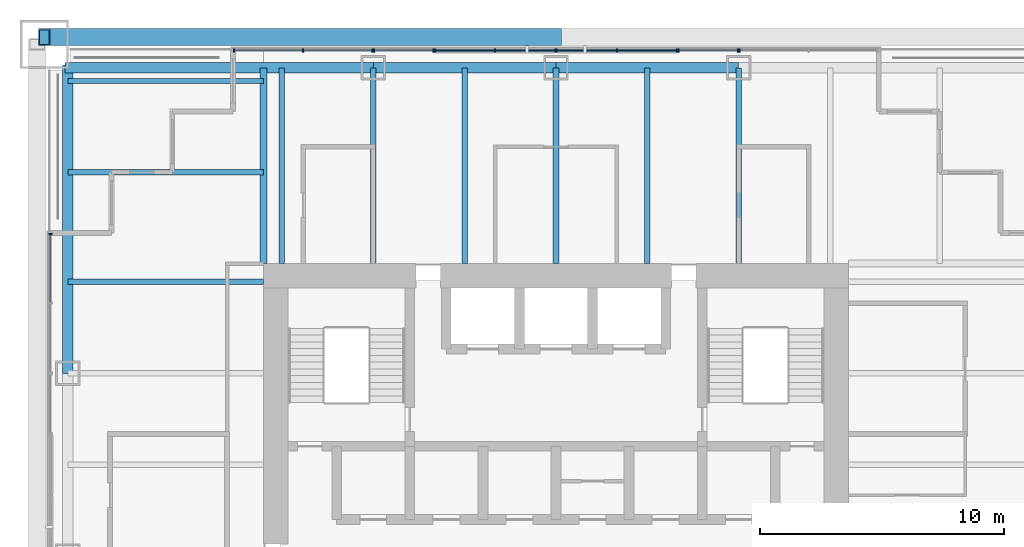
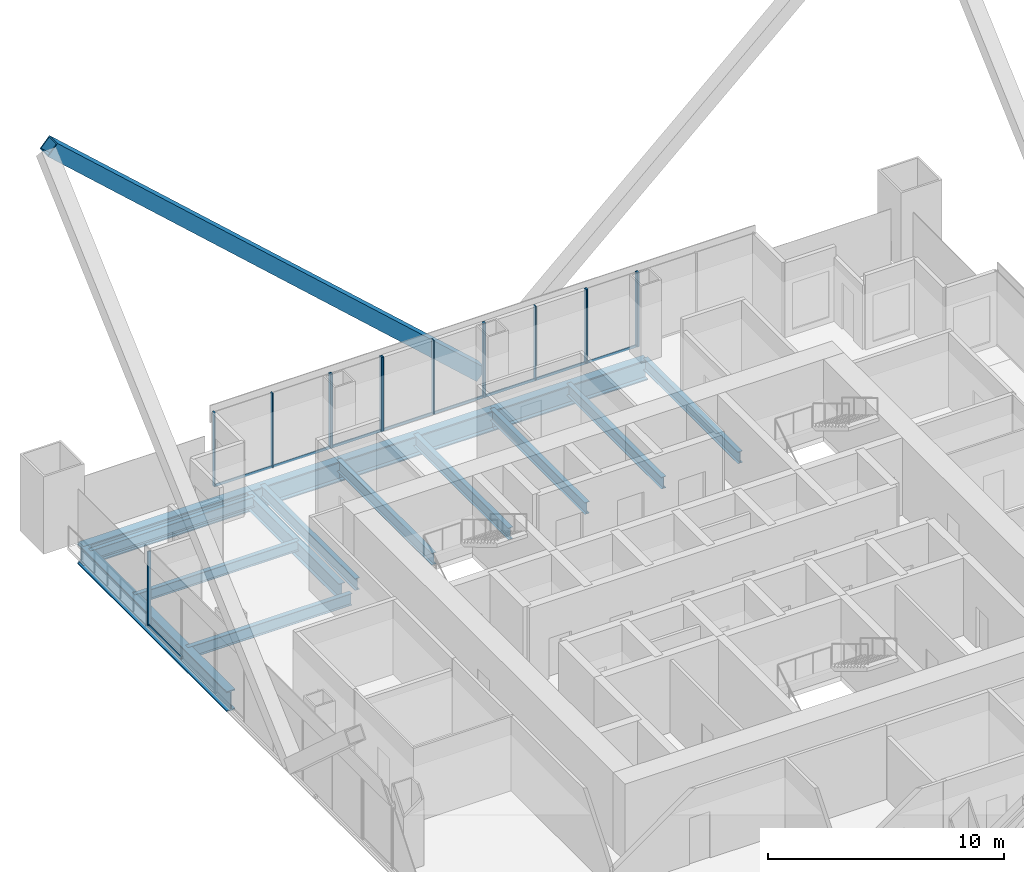
# One storey, part 9 of 17: 25 members, 14 beams, 7 elements without a shape of their own.
"""IFC4 building model written with IfcOpenShell, lengths in metres."""

import ifcopenshell
import ifcopenshell.guid

model = None  # the IFC model being written
_history = None  # IfcOwnerHistory: only IFC2X3 demands one
_inside = {}  # id of a spatial element -> (the spatial element, [elements in it])
_under = {}  # id of a project, library or spatial element -> (it, [spatial elements below it])
_declared = {}  # id of a project -> (the project, [libraries it declares])
_typed = {}  # id of a type object -> (the type object, [elements of that type])
_made_of = {}  # id of a material, layer set ... -> (it, [elements and type objects made of it])


def new_model(schema):
    """Start an empty IFC model of exactly this schema.

    Asked for "IFC4X3", IfcOpenShell would pick the latest addendum, in which some entities
    have other attributes; the version numbers below select the first issue.
    IFC2X3 requires an IfcOwnerHistory on every rooted entity: one is made here for all.
    """
    global model, _history
    if schema == "IFC4X3":
        model = ifcopenshell.file(schema_version=(4, 3, 0, 0))
    else:
        model = ifcopenshell.file(schema=schema)
    _inside.clear()
    _under.clear()
    _declared.clear()
    _typed.clear()
    _made_of.clear()
    _history = None
    if model.schema == "IFC2X3":
        org = make("IfcOrganization", Name="unknown")
        user = make(
            "IfcPersonAndOrganization",
            ThePerson=make("IfcPerson", FamilyName="unknown"),
            TheOrganization=org,
        )
        app = make(
            "IfcApplication",
            ApplicationDeveloper=org,
            Version="unknown",
            ApplicationFullName="unknown",
            ApplicationIdentifier="unknown",
        )
        _history = make(
            "IfcOwnerHistory",
            OwningUser=user,
            OwningApplication=app,
            ChangeAction="ADDED",
            CreationDate=0,
        )
    return model


def make(cls, **values):
    """One entity of the class cls with the attributes given. An attribute that is None is left unset."""
    return model.create_entity(
        cls, **{name: value for name, value in values.items() if value is not None}
    )


def rooted(cls, **values):
    """An entity with a GlobalId (a new one), such as an element, a storey or a relation."""
    return make(cls, GlobalId=ifcopenshell.guid.new(), OwnerHistory=_history, **values)


def si_unit(unit_type, name, prefix=None):
    """IfcSIUnit, for example si_unit("LENGTHUNIT", "METRE", prefix="MILLI")."""
    return make("IfcSIUnit", UnitType=unit_type, Prefix=prefix, Name=name)


def assignment(units):
    """IfcUnitAssignment: the units of a project."""
    return None if units is None else make("IfcUnitAssignment", Units=units)


def point(xyz):
    """IfcCartesianPoint."""
    return None if xyz is None else make("IfcCartesianPoint", Coordinates=xyz)


def direction(xyz):
    """IfcDirection."""
    return None if xyz is None else make("IfcDirection", DirectionRatios=xyz)


def frame(location, z_axis=None, x_axis=None):
    """IfcAxis2Placement3D, a coordinate frame: its origin and axes. An axis left out is left unset."""
    return make(
        "IfcAxis2Placement3D",
        Location=point(location),
        Axis=direction(z_axis),
        RefDirection=direction(x_axis),
    )


def frame_2d(location, x_axis=None):
    """IfcAxis2Placement2D, a coordinate frame in the plane: its origin and x axis."""
    return make(
        "IfcAxis2Placement2D", Location=point(location), RefDirection=direction(x_axis)
    )


def origin():
    """The frame at (0, 0, 0) with its axes left unset."""
    return frame((0.0, 0.0, 0.0))


def origin_2d():
    """The frame at (0, 0) in the plane with its x axis left unset."""
    return frame_2d((0.0, 0.0))


def place(relative_to, where):
    """IfcLocalPlacement: puts the frame where relative to a parent placement (None: the world)."""
    return make(
        "IfcLocalPlacement", PlacementRelTo=relative_to, RelativePlacement=where
    )


def context(
    kind, dimensions, precision=None, world=None, true_north=None, identifier=None
):
    """IfcGeometricRepresentationContext, for example the 3D "Model" context."""
    return make(
        "IfcGeometricRepresentationContext",
        ContextIdentifier=identifier,
        ContextType=kind,
        CoordinateSpaceDimension=dimensions,
        Precision=precision,
        WorldCoordinateSystem=world,
        TrueNorth=true_north,
    )


def subcontext(parent, identifier, kind, view, scale=None):
    """IfcGeometricRepresentationSubContext, for example "Body" below "Model"."""
    return make(
        "IfcGeometricRepresentationSubContext",
        ContextIdentifier=identifier,
        ContextType=kind,
        ParentContext=parent,
        TargetScale=scale,
        TargetView=view,
    )


def project(units=None, contexts=None):
    """IfcProject with its units and contexts."""
    return rooted(
        "IfcProject",
        Name="project",
        RepresentationContexts=contexts,
        UnitsInContext=assignment(units),
    )


def spatial(cls, under=None, at=None, **own):
    """A site, building, storey or space (cls), placed at a placement, below another one or the project."""
    s = rooted(cls, ObjectPlacement=at, **own)
    if under is not None:
        _under.setdefault(under.id(), (under, []))[1].append(s)
    return s


def profile(cls, at=None, kind="AREA", **sizes):
    """A parametric profile (cls). Its sizes go by their IFC names, for example OverallWidth=200.0."""
    return make(cls, ProfileType=kind, Position=at, **sizes)


def rectangle(**sizes):
    """IfcRectangleProfileDef."""
    return profile("IfcRectangleProfileDef", **sizes)


def hollow_rectangle(**sizes):
    """IfcRectangleHollowProfileDef."""
    return profile("IfcRectangleHollowProfileDef", **sizes)


def i_section(**sizes):
    """IfcIShapeProfileDef."""
    return profile("IfcIShapeProfileDef", **sizes)


def extrude(swept, where, along, depth):
    """IfcExtrudedAreaSolid: the profile swept, set in the frame where, extruded along a direction by depth."""
    return make(
        "IfcExtrudedAreaSolid",
        SweptArea=swept,
        Position=where,
        ExtrudedDirection=direction(along),
        Depth=depth,
    )


def shape(context_of_items, identifier, shape_type, items):
    """IfcShapeRepresentation: the items that make up one representation, for example the "Body"."""
    return make(
        "IfcShapeRepresentation",
        ContextOfItems=context_of_items,
        RepresentationIdentifier=identifier,
        RepresentationType=shape_type,
        Items=items,
    )


def material(Name=None, Category=None):
    """IfcMaterial."""
    return make("IfcMaterial", Name=Name, Category=Category)


def material_profile(
    of_material, cross_section, Name=None, Category=None, Priority=None
):
    """IfcMaterialProfile: a cross section and its material."""
    return make(
        "IfcMaterialProfile",
        Name=Name,
        Material=of_material,
        Profile=cross_section,
        Priority=Priority,
        Category=Category,
    )


def profile_set(profiles, Name=None, composite=None):
    """IfcMaterialProfileSet."""
    return make(
        "IfcMaterialProfileSet",
        Name=Name,
        MaterialProfiles=profiles,
        CompositeProfile=composite,
    )


def made_of(thing, what):
    """Note that an element or type object is made of a material, layer set ...; save() writes the relation."""
    if what is not None:
        _made_of.setdefault(what.id(), (what, []))[1].append(thing)
    return thing


def type_object(cls, material=None, **own):
    """A type object (cls), such as IfcWallType, which elements share."""
    return made_of(rooted(cls, **own), material)


def element(
    cls,
    number,
    at=None,
    inside=None,
    cuts=None,
    type_object=None,
    material=None,
    context=None,
    identifier="Body",
    shape_type=None,
    held_by="IfcProductDefinitionShape",
    body=None,
    shapes=None,
    **own,
):
    """One element of the class cls, such as IfcWall. Its Tag is "e" and its number.

    at: its placement. inside: the storey or other place that contains it. cuts: it is an
    opening in that element (IfcRelVoidsElement). A single representation is given by context,
    identifier, shape_type and body (its items); several are given by shapes. held_by: the class
    of the entity that holds the representations. save() writes the other relations.
    """
    e = rooted(cls, Tag="e%d" % number, ObjectPlacement=at, **own)
    if body is not None:
        shapes = [shape(context, identifier, shape_type, body)]
    if shapes is not None:
        e.Representation = make(held_by, Representations=shapes)
    if inside is not None:
        _inside.setdefault(inside.id(), (inside, []))[1].append(e)
    if cuts is not None:
        rooted(
            "IfcRelVoidsElement", RelatingBuildingElement=cuts, RelatedOpeningElement=e
        )
    if type_object is not None:
        _typed.setdefault(type_object.id(), (type_object, []))[1].append(e)
    return made_of(e, material)


def aggregate(whole, parts):
    """IfcRelAggregates: a whole, such as a stair, and the parts it consists of."""
    return rooted("IfcRelAggregates", RelatingObject=whole, RelatedObjects=parts)


def save(model, path):
    """Write the relations noted so far, then the file.

    IfcRelAggregates (storeys below a building ...), IfcRelContainedInSpatialStructure (elements
    in a storey), IfcRelDefinesByType, IfcRelAssociatesMaterial and IfcRelDeclares: one each for
    every whole, place, type object, material and project.
    """
    for whole, parts in _under.values():
        aggregate(whole, parts)
    for where, things in _inside.values():
        rooted(
            "IfcRelContainedInSpatialStructure",
            RelatedElements=things,
            RelatingStructure=where,
        )
    for kind, things in _typed.values():
        rooted("IfcRelDefinesByType", RelatedObjects=things, RelatingType=kind)
    for what, things in _made_of.values():
        rooted("IfcRelAssociatesMaterial", RelatedObjects=things, RelatingMaterial=what)
    for by, libraries in _declared.values():
        rooted("IfcRelDeclares", RelatingContext=by, RelatedDefinitions=libraries)
    model.write(path)


model = new_model("IFC4")

# Units and contexts
model_context = context("Model", 3, precision=1e-05, world=origin(), true_north=direction((0.0, 1.0)))
body_context = subcontext(model_context, "Body", "Model", "MODEL_VIEW")
ifc_project = project(units=[si_unit("LENGTHUNIT", "METRE"), si_unit("AREAUNIT", "SQUARE_METRE"), si_unit("VOLUMEUNIT", "CUBIC_METRE"), si_unit("PLANEANGLEUNIT", "RADIAN"), si_unit("MASSUNIT", "GRAM", prefix="KILO")], contexts=[model_context])

# Site, building, storey
site_placement = place(None, origin())
site = spatial("IfcSite", under=ifc_project, at=site_placement, CompositionType="ELEMENT")
building_placement = place(site_placement, origin())
building = spatial("IfcBuilding", under=site, at=building_placement, Name="Tarangal Relay Tower", CompositionType="ELEMENT")
storey_placement = place(building_placement, frame((0.0, 0.0, 315.89990234375)))
storey = spatial("IfcBuildingStorey", under=building, at=storey_placement, Name="L70", CompositionType="ELEMENT", Elevation=315.89990234375)

# Beams
ifc_material_1 = material(Name="Steel ASTM A992", Category="steel")
ifc_material_profile_1 = material_profile(ifc_material_1, i_section(OverallWidth=0.209228515625, OverallDepth=0.533447265625, WebThickness=0.01025390625, FlangeThickness=0.015625, at=origin_2d()), Name="W21X62")
ifc_profile_set_1 = profile_set([ifc_material_profile_1], Name="Steel ASTM A992")
beam_type_1 = type_object("IfcBeamType", Name="Corner beam W21X62", PredefinedType="JOIST", material=ifc_profile_set_1)
for number, where, z_axis, x_axis, name in (
    (1, (-12.0, 15.75, -0.41650390625), (-1.0, 0.0, 0.0), (0.0, -1.0, 0.0), "Corner beam CB12 W L70"),
    (2, (-12.0, 19.5, -0.41650390625), (-1.0, 0.0, 0.0), (0.0, -1.0, 0.0), "Corner beam CB12 W L70"),
):
    element("IfcBeam", number, at=place(storey_placement, frame(where, z_axis=z_axis, x_axis=x_axis)), inside=storey, type_object=beam_type_1, Name=name, PredefinedType="JOIST", context=body_context, shape_type="SweptSolid", body=[
        extrude(i_section(OverallWidth=0.209228515625, OverallDepth=0.533447265625, WebThickness=0.01025390625, FlangeThickness=0.015625, at=origin_2d()), origin(), (0.0, 0.0, 1.0), 8.0400390625),
    ])
ifc_material_profile_2 = material_profile(ifc_material_1, i_section(OverallWidth=0.2919921875, OverallDepth=0.8408203125, WebThickness=0.0146484375, FlangeThickness=0.021728515625, at=origin_2d()), Name="W33X130")
ifc_profile_set_2 = profile_set([ifc_material_profile_2], Name="Steel ASTM A992")
beam_type_2 = type_object("IfcBeamType", Name="Corner girder W33X130", PredefinedType="BEAM", material=ifc_profile_set_2)
beam_1_placement = place(storey_placement, frame((-12.0, 12.0, -0.5703125), z_axis=(0.0, 1.0, 0.0), x_axis=(-1.0, 0.0, 0.0)))
element("IfcBeam", 3, at=beam_1_placement, inside=storey, type_object=beam_type_2, Name="Corner girder CG5 W L70", PredefinedType="BEAM", context=body_context, shape_type="SweptSolid", body=[
    extrude(i_section(OverallWidth=0.2919921875, OverallDepth=0.8408203125, WebThickness=0.0146484375, FlangeThickness=0.021728515625, at=origin_2d()), origin(), (0.0, 0.0, 1.0), 8.0400390625),
])
ifc_material_profile_3 = material_profile(ifc_material_1, i_section(OverallWidth=0.41162109375, OverallDepth=1.049072265625, WebThickness=0.033935546875, FlangeThickness=0.059814453125, at=origin_2d()), Name="W40X431")
ifc_profile_set_3 = profile_set([ifc_material_profile_3], Name="Steel ASTM A992")
beam_type_3 = type_object("IfcBeamType", Name="Edge girder W40X431", PredefinedType="SPANDREL", material=ifc_profile_set_3)
beam_2_placement = place(storey_placement, frame((-20.14990234375, 20.0400390625, -0.67431640625), z_axis=(1.0, 0.0, 0.0), x_axis=(0.0, 1.0, 0.0)))
element("IfcBeam", 4, at=beam_2_placement, inside=storey, type_object=beam_type_3, Name="Edge girder EG1 N L70", PredefinedType="SPANDREL", context=body_context, shape_type="SweptSolid", body=[
    extrude(i_section(OverallWidth=0.41162109375, OverallDepth=1.049072265625, WebThickness=0.033935546875, FlangeThickness=0.059814453125, at=origin_2d()), origin(), (0.0, 0.0, 1.0), 12.64990234375),
])
for number, where, z_axis, x_axis, name in (
    (5, (-7.5, 20.0400390625, -0.67431640625), (1.0, 0.0, 0.0), (0.0, 1.0, 0.0), "Edge girder EG1 N L70"),
    (6, (0.0, 20.0400390625, -0.67431640625), (1.0, 0.0, 0.0), (0.0, 1.0, 0.0), "Edge girder EG1 N L70"),
):
    element("IfcBeam", number, at=place(storey_placement, frame(where, z_axis=z_axis, x_axis=x_axis)), inside=storey, type_object=beam_type_3, Name=name, PredefinedType="SPANDREL", context=body_context, shape_type="SweptSolid", body=[
        extrude(i_section(OverallWidth=0.41162109375, OverallDepth=1.049072265625, WebThickness=0.033935546875, FlangeThickness=0.059814453125, at=origin_2d()), origin(), (0.0, 0.0, 1.0), 7.5),
    ])
beam_3_placement = place(storey_placement, frame((-20.0400390625, 7.5, -0.67431640625), z_axis=(0.0, 1.0, 0.0), x_axis=(-1.0, 0.0, 0.0)))
element("IfcBeam", 7, at=beam_3_placement, inside=storey, type_object=beam_type_3, Name="Edge girder EG1 W L70", PredefinedType="SPANDREL", context=body_context, shape_type="SweptSolid", body=[
    extrude(i_section(OverallWidth=0.41162109375, OverallDepth=1.049072265625, WebThickness=0.033935546875, FlangeThickness=0.059814453125, at=origin_2d()), origin(), (0.0, 0.0, 1.0), 12.64990234375),
])
ifc_material_profile_4 = material_profile(ifc_material_1, i_section(OverallWidth=0.228271484375, OverallDepth=0.607177734375, WebThickness=0.01123046875, FlangeThickness=0.017333984375, at=origin_2d()), Name="W24X76")
ifc_profile_set_4 = profile_set([ifc_material_profile_4], Name="Steel ASTM A992")
beam_type_4 = type_object("IfcBeamType", Name="Floor beam W24X76", PredefinedType="BEAM", material=ifc_profile_set_4)
for number, where, z_axis, x_axis, name in (
    (8, (-11.25, 12.0, -0.453369140625), (0.0, 1.0, 0.0), (-1.0, 0.0, 0.0), "Floor beam RB5 N L70"),
    (9, (-7.5, 12.0, -0.453369140625), (0.0, 1.0, 0.0), (-1.0, 0.0, 0.0), "Floor beam RB5 N L70"),
    (10, (-3.75, 12.0, -0.453369140625), (0.0, 1.0, 0.0), (-1.0, 0.0, 0.0), "Floor beam RB5 N L70"),
    (11, (0.0, 12.0, -0.453369140625), (0.0, 1.0, 0.0), (-1.0, 0.0, 0.0), "Floor beam RB5 N L70"),
    (12, (3.75, 12.0, -0.453369140625), (0.0, 1.0, 0.0), (-1.0, 0.0, 0.0), "Floor beam RB5 N L70"),
    (13, (7.5, 12.0, -0.453369140625), (0.0, 1.0, 0.0), (-1.0, 0.0, 0.0), "Floor beam RB5 N L70"),
    (14, (-12.0, 11.25, -0.453369140625), (-1.0, 0.0, 0.0), (0.0, -1.0, 0.0), "Floor beam RB5 W L70"),
):
    element("IfcBeam", number, at=place(storey_placement, frame(where, z_axis=z_axis, x_axis=x_axis)), inside=storey, type_object=beam_type_4, Name=name, PredefinedType="BEAM", context=body_context, shape_type="SweptSolid", body=[
        extrude(i_section(OverallWidth=0.228271484375, OverallDepth=0.607177734375, WebThickness=0.01123046875, FlangeThickness=0.017333984375, at=origin_2d()), origin(), (0.0, 0.0, 1.0), 8.0400390625),
    ])

# Member
ifc_material_2 = material(Name="Steel ASTM A572 Grade 50", Category="steel")
ifc_material_profile_5 = material_profile(ifc_material_2, hollow_rectangle(XDim=0.699951171875, YDim=0.699951171875, WallThickness=0.052001953125, at=origin_2d()), Name="BOX700X700X52")
ifc_profile_set_5 = profile_set([ifc_material_profile_5], Name="Steel ASTM A572 Grade 50")
member_type_1 = type_object("IfcMemberType", Name="Mega brace BOX700X700X52", PredefinedType="BRACE", material=ifc_profile_set_5)
member_1_placement = place(storey_placement, frame((0.0, 21.300048828125, 1.0), z_axis=(-0.741535779124, 0.0, 0.670913323969), x_axis=(0.0, -1.0, 0.0)))
element("IfcMember", 15, at=member_1_placement, inside=storey, type_object=member_type_1, Name="Mega brace MB4 N face module 2", PredefinedType="BRACE", context=body_context, shape_type="SweptSolid", body=[
    extrude(hollow_rectangle(XDim=0.699951171875, YDim=0.699951171875, WallThickness=0.052001953125, at=origin_2d()), origin(), (0.0, 0.0, 1.0), 28.319580078125),
])

# Curtain wall, members
ifc_material_3 = material(Name="Unitised curtain wall, dark glass and black aluminium", Category="aluminium")
curtain_wall_type_1 = type_object("IfcCurtainWallType", Name="Curtain wall CW-B", PredefinedType="USERDEFINED", material=ifc_material_3)
curtain_wall_1_placement = place(storey_placement, origin())
curtain_wall_1 = element("IfcCurtainWall", 16, at=curtain_wall_1_placement, inside=storey, type_object=curtain_wall_type_1, Name="Curtain wall CW-B N facade L70", ObjectType="UNITISED CURTAIN WALL", PredefinedType="USERDEFINED")
ifc_material_4 = material(Name="Black anodised aluminium mullion", Category="aluminium")
ifc_material_profile_6 = material_profile(ifc_material_4, rectangle(XDim=0.159912109375, YDim=0.06005859375, at=origin_2d()), Name="CW-BM 60X160")
ifc_profile_set_6 = profile_set([ifc_material_profile_6], Name="Black anodised aluminium mullion")
member_type_2 = type_object("IfcMemberType", Name="Mullion CW-B 60 x 160", PredefinedType="MULLION", material=ifc_profile_set_6)
member_2_placement = place(storey_placement, frame((-13.219970703125, 20.75, 0.0), z_axis=(0.0, 0.0, 1.0), x_axis=(0.0, 1.0, 0.0)))
member_2 = element("IfcMember", 17, at=member_2_placement, type_object=member_type_2, Name="CW-B mullion 1", PredefinedType="MULLION", context=body_context, shape_type="SweptSolid", body=[
    extrude(rectangle(XDim=0.159912109375, YDim=0.06005859375, at=origin_2d()), origin(), (0.0, 0.0, 1.0), 3.85009765625),
])
member_3_placement = place(storey_placement, frame((-10.375, 20.75, 0.0), z_axis=(0.0, 0.0, 1.0), x_axis=(0.0, 1.0, 0.0)))
member_3 = element("IfcMember", 18, at=member_3_placement, type_object=member_type_2, Name="CW-B mullion 2", PredefinedType="MULLION", context=body_context, shape_type="SweptSolid", body=[
    extrude(rectangle(XDim=0.159912109375, YDim=0.06005859375, at=origin_2d()), origin(), (0.0, 0.0, 1.0), 3.85009765625),
])
member_4_placement = place(storey_placement, frame((-7.530029296875, 20.75, 0.0), z_axis=(0.0, 0.0, 1.0), x_axis=(0.0, 1.0, 0.0)))
member_4 = element("IfcMember", 19, at=member_4_placement, type_object=member_type_2, Name="CW-B mullion 3", PredefinedType="MULLION", context=body_context, shape_type="SweptSolid", body=[
    extrude(rectangle(XDim=0.159912109375, YDim=0.06005859375, at=origin_2d()), origin(), (0.0, 0.0, 1.0), 3.85009765625),
])

curtain_wall_2_placement = place(storey_placement, origin())
curtain_wall_2 = element("IfcCurtainWall", 20, at=curtain_wall_2_placement, inside=storey, type_object=curtain_wall_type_1, Name="Curtain wall CW-B N facade L70", ObjectType="UNITISED CURTAIN WALL", PredefinedType="USERDEFINED")
member_5_placement = place(storey_placement, frame((-7.469970703125, 20.75, 0.0), z_axis=(0.0, 0.0, 1.0), x_axis=(0.0, 1.0, 0.0)))
member_5 = element("IfcMember", 21, at=member_5_placement, type_object=member_type_2, Name="CW-B mullion 1", PredefinedType="MULLION", context=body_context, shape_type="SweptSolid", body=[
    extrude(rectangle(XDim=0.159912109375, YDim=0.06005859375, at=origin_2d()), origin(), (0.0, 0.0, 1.0), 3.85009765625),
])
member_6_placement = place(storey_placement, frame((-5.030029296875, 20.75, 0.0), z_axis=(0.0, 0.0, 1.0), x_axis=(0.0, 1.0, 0.0)))
member_6 = element("IfcMember", 22, at=member_6_placement, type_object=member_type_2, Name="CW-B mullion 2", PredefinedType="MULLION", context=body_context, shape_type="SweptSolid", body=[
    extrude(rectangle(XDim=0.159912109375, YDim=0.06005859375, at=origin_2d()), origin(), (0.0, 0.0, 1.0), 3.85009765625),
])

curtain_wall_3_placement = place(storey_placement, origin())
curtain_wall_3 = element("IfcCurtainWall", 23, at=curtain_wall_3_placement, inside=storey, type_object=curtain_wall_type_1, Name="Curtain wall CW-B N facade L70", ObjectType="UNITISED CURTAIN WALL", PredefinedType="USERDEFINED")
member_7_placement = place(storey_placement, frame((5.030029296875, 20.75, 0.0), z_axis=(0.0, 0.0, 1.0), x_axis=(0.0, 1.0, 0.0)))
member_7 = element("IfcMember", 24, at=member_7_placement, type_object=member_type_2, Name="CW-B mullion 1", PredefinedType="MULLION", context=body_context, shape_type="SweptSolid", body=[
    extrude(rectangle(XDim=0.159912109375, YDim=0.06005859375, at=origin_2d()), origin(), (0.0, 0.0, 1.0), 3.85009765625),
])
member_8_placement = place(storey_placement, frame((7.469970703125, 20.75, 0.0), z_axis=(0.0, 0.0, 1.0), x_axis=(0.0, 1.0, 0.0)))
member_8 = element("IfcMember", 25, at=member_8_placement, type_object=member_type_2, Name="CW-B mullion 2", PredefinedType="MULLION", context=body_context, shape_type="SweptSolid", body=[
    extrude(rectangle(XDim=0.159912109375, YDim=0.06005859375, at=origin_2d()), origin(), (0.0, 0.0, 1.0), 3.85009765625),
])

# Curtain wall, member
curtain_wall_4_placement = place(storey_placement, origin())
curtain_wall_4 = element("IfcCurtainWall", 26, at=curtain_wall_4_placement, inside=storey, type_object=curtain_wall_type_1, Name="Curtain wall CW-B N facade L70", ObjectType="UNITISED CURTAIN WALL", PredefinedType="USERDEFINED")
member_9_placement = place(storey_placement, frame((7.530029296875, 20.75, 0.0), z_axis=(0.0, 0.0, 1.0), x_axis=(0.0, 1.0, 0.0)))
member_9 = element("IfcMember", 27, at=member_9_placement, type_object=member_type_2, Name="CW-B mullion 1", PredefinedType="MULLION", context=body_context, shape_type="SweptSolid", body=[
    extrude(rectangle(XDim=0.159912109375, YDim=0.06005859375, at=origin_2d()), origin(), (0.0, 0.0, 1.0), 3.85009765625),
])
aggregate(curtain_wall_4, [member_9])

curtain_wall_5_placement = place(storey_placement, origin())
curtain_wall_5 = element("IfcCurtainWall", 28, at=curtain_wall_5_placement, inside=storey, type_object=curtain_wall_type_1, Name="Curtain wall CW-B W facade L70", ObjectType="UNITISED CURTAIN WALL", PredefinedType="USERDEFINED")
member_10_placement = place(storey_placement, frame((-20.75, 13.219970703125, 0.0), z_axis=(0.0, 0.0, 1.0), x_axis=(-1.0, 0.0, 0.0)))
member_10 = element("IfcMember", 29, at=member_10_placement, type_object=member_type_2, Name="CW-B mullion 3", PredefinedType="MULLION", context=body_context, shape_type="SweptSolid", body=[
    extrude(rectangle(XDim=0.159912109375, YDim=0.06005859375, at=origin_2d()), origin(), (0.0, 0.0, 1.0), 3.85009765625),
])

# Curtain wall, members
ifc_material_5 = material(Name="Unitised curtain wall frame, black aluminium, with metal clad infill walls", Category="aluminium")
curtain_wall_type_2 = type_object("IfcCurtainWallType", Name="Curtain wall CW-BO", PredefinedType="USERDEFINED", material=ifc_material_5)
curtain_wall_6_placement = place(storey_placement, origin())
curtain_wall_6 = element("IfcCurtainWall", 30, at=curtain_wall_6_placement, inside=storey, type_object=curtain_wall_type_2, Name="Curtain wall CW-BO N facade L70", ObjectType="UNITISED CURTAIN WALL", PredefinedType="USERDEFINED")
ifc_material_profile_7 = material_profile(ifc_material_4, rectangle(XDim=0.159912109375, YDim=0.06005859375, at=origin_2d()), Name="CW-BOM 60X160")
ifc_profile_set_7 = profile_set([ifc_material_profile_7], Name="Black anodised aluminium mullion")
member_type_3 = type_object("IfcMemberType", Name="Mullion CW-BO 60 x 160", PredefinedType="MULLION", material=ifc_profile_set_7)
member_11_placement = place(storey_placement, frame((-4.969970703125, 20.75, 0.0), z_axis=(0.0, 0.0, 1.0), x_axis=(0.0, 1.0, 0.0)))
member_11 = element("IfcMember", 31, at=member_11_placement, type_object=member_type_3, Name="CW-BO mullion 1", PredefinedType="MULLION", context=body_context, shape_type="SweptSolid", body=[
    extrude(rectangle(XDim=0.159912109375, YDim=0.06005859375, at=origin_2d()), origin(), (0.0, 0.0, 1.0), 3.85009765625),
])
member_12_placement = place(storey_placement, frame((-2.5, 20.75, 0.0), z_axis=(0.0, 0.0, 1.0), x_axis=(0.0, 1.0, 0.0)))
member_12 = element("IfcMember", 32, at=member_12_placement, type_object=member_type_3, Name="CW-BO mullion 2", PredefinedType="MULLION", context=body_context, shape_type="SweptSolid", body=[
    extrude(rectangle(XDim=0.159912109375, YDim=0.06005859375, at=origin_2d()), origin(), (0.0, 0.0, 1.0), 3.85009765625),
])
member_13_placement = place(storey_placement, frame((-0.030029296875, 20.75, 0.0), z_axis=(0.0, 0.0, 1.0), x_axis=(0.0, 1.0, 0.0)))
member_13 = element("IfcMember", 33, at=member_13_placement, type_object=member_type_3, Name="CW-BO mullion 3", PredefinedType="MULLION", context=body_context, shape_type="SweptSolid", body=[
    extrude(rectangle(XDim=0.159912109375, YDim=0.06005859375, at=origin_2d()), origin(), (0.0, 0.0, 1.0), 3.85009765625),
])

curtain_wall_7_placement = place(storey_placement, origin())
curtain_wall_7 = element("IfcCurtainWall", 34, at=curtain_wall_7_placement, inside=storey, type_object=curtain_wall_type_2, Name="Curtain wall CW-BO N facade L70", ObjectType="UNITISED CURTAIN WALL", PredefinedType="USERDEFINED")
member_14_placement = place(storey_placement, frame((0.030029296875, 20.75, 0.0), z_axis=(0.0, 0.0, 1.0), x_axis=(0.0, 1.0, 0.0)))
member_14 = element("IfcMember", 35, at=member_14_placement, type_object=member_type_3, Name="CW-BO mullion 1", PredefinedType="MULLION", context=body_context, shape_type="SweptSolid", body=[
    extrude(rectangle(XDim=0.159912109375, YDim=0.06005859375, at=origin_2d()), origin(), (0.0, 0.0, 1.0), 3.85009765625),
])
member_15_placement = place(storey_placement, frame((2.5, 20.75, 0.0), z_axis=(0.0, 0.0, 1.0), x_axis=(0.0, 1.0, 0.0)))
member_15 = element("IfcMember", 36, at=member_15_placement, type_object=member_type_3, Name="CW-BO mullion 2", PredefinedType="MULLION", context=body_context, shape_type="SweptSolid", body=[
    extrude(rectangle(XDim=0.159912109375, YDim=0.06005859375, at=origin_2d()), origin(), (0.0, 0.0, 1.0), 3.85009765625),
])
member_16_placement = place(storey_placement, frame((4.969970703125, 20.75, 0.0), z_axis=(0.0, 0.0, 1.0), x_axis=(0.0, 1.0, 0.0)))
member_16 = element("IfcMember", 37, at=member_16_placement, type_object=member_type_3, Name="CW-BO mullion 3", PredefinedType="MULLION", context=body_context, shape_type="SweptSolid", body=[
    extrude(rectangle(XDim=0.159912109375, YDim=0.06005859375, at=origin_2d()), origin(), (0.0, 0.0, 1.0), 3.85009765625),
])

# Member
ifc_material_6 = material(Name="Black anodised aluminium transom", Category="aluminium")
ifc_material_profile_8 = material_profile(ifc_material_6, rectangle(XDim=0.06005859375, YDim=0.1298828125, at=origin_2d()), Name="CW-BT 60X130")
ifc_profile_set_8 = profile_set([ifc_material_profile_8], Name="Black anodised aluminium transom")
member_type_4 = type_object("IfcMemberType", Name="Transom CW-B 60 x 130", PredefinedType="USERDEFINED", material=ifc_profile_set_8)
member_17_placement = place(storey_placement, frame((-13.18994140625, 20.75, 0.030029296875), z_axis=(1.0, 0.0, 0.0), x_axis=(0.0, 1.0, 0.0)))
member_17 = element("IfcMember", 38, at=member_17_placement, type_object=member_type_4, Name="CW-B transom 1.1", ObjectType="TRANSOM", PredefinedType="USERDEFINED", context=body_context, shape_type="SweptSolid", body=[
    extrude(rectangle(XDim=0.06005859375, YDim=0.1298828125, at=origin_2d()), origin(), (0.0, 0.0, 1.0), 2.784912109375),
])

member_18_placement = place(storey_placement, frame((-10.344970703125, 20.75, 0.030029296875), z_axis=(1.0, 0.0, 0.0), x_axis=(0.0, 1.0, 0.0)))
member_18 = element("IfcMember", 39, at=member_18_placement, type_object=member_type_4, Name="CW-B transom 2.1", ObjectType="TRANSOM", PredefinedType="USERDEFINED", context=body_context, shape_type="SweptSolid", body=[
    extrude(rectangle(XDim=0.06005859375, YDim=0.1298828125, at=origin_2d()), origin(), (0.0, 0.0, 1.0), 2.784912109375),
])

aggregate(curtain_wall_1, [member_2, member_3, member_4, member_17, member_18])

member_19_placement = place(storey_placement, frame((-7.43994140625, 20.75, 0.030029296875), z_axis=(1.0, 0.0, 0.0), x_axis=(0.0, 1.0, 0.0)))
member_19 = element("IfcMember", 40, at=member_19_placement, type_object=member_type_4, Name="CW-B transom 1.1", ObjectType="TRANSOM", PredefinedType="USERDEFINED", context=body_context, shape_type="SweptSolid", body=[
    extrude(rectangle(XDim=0.06005859375, YDim=0.1298828125, at=origin_2d()), origin(), (0.0, 0.0, 1.0), 2.3798828125),
])

aggregate(curtain_wall_2, [member_5, member_6, member_19])

member_20_placement = place(storey_placement, frame((5.06005859375, 20.75, 0.030029296875), z_axis=(1.0, 0.0, 0.0), x_axis=(0.0, 1.0, 0.0)))
member_20 = element("IfcMember", 41, at=member_20_placement, type_object=member_type_4, Name="CW-B transom 1.1", ObjectType="TRANSOM", PredefinedType="USERDEFINED", context=body_context, shape_type="SweptSolid", body=[
    extrude(rectangle(XDim=0.06005859375, YDim=0.1298828125, at=origin_2d()), origin(), (0.0, 0.0, 1.0), 2.3798828125),
])

aggregate(curtain_wall_3, [member_7, member_8, member_20])

member_21_placement = place(storey_placement, frame((-20.75, 10.405029296875, 0.030029296875), z_axis=(0.0, 1.0, 0.0), x_axis=(-1.0, 0.0, 0.0)))
member_21 = element("IfcMember", 42, at=member_21_placement, type_object=member_type_4, Name="CW-B transom 2.1", ObjectType="TRANSOM", PredefinedType="USERDEFINED", context=body_context, shape_type="SweptSolid", body=[
    extrude(rectangle(XDim=0.06005859375, YDim=0.1298828125, at=origin_2d()), origin(), (0.0, 0.0, 1.0), 2.784912109375),
])

aggregate(curtain_wall_5, [member_10, member_21])

ifc_material_profile_9 = material_profile(ifc_material_6, rectangle(XDim=0.06005859375, YDim=0.1298828125, at=origin_2d()), Name="CW-BOT 60X130")
ifc_profile_set_9 = profile_set([ifc_material_profile_9], Name="Black anodised aluminium transom")
member_type_5 = type_object("IfcMemberType", Name="Transom CW-BO 60 x 130", PredefinedType="USERDEFINED", material=ifc_profile_set_9)
member_22_placement = place(storey_placement, frame((-4.93994140625, 20.75, 0.030029296875), z_axis=(1.0, 0.0, 0.0), x_axis=(0.0, 1.0, 0.0)))
member_22 = element("IfcMember", 43, at=member_22_placement, type_object=member_type_5, Name="CW-BO transom 1.1", ObjectType="TRANSOM", PredefinedType="USERDEFINED", context=body_context, shape_type="SweptSolid", body=[
    extrude(rectangle(XDim=0.06005859375, YDim=0.1298828125, at=origin_2d()), origin(), (0.0, 0.0, 1.0), 2.409912109375),
])

member_23_placement = place(storey_placement, frame((-2.469970703125, 20.75, 0.030029296875), z_axis=(1.0, 0.0, 0.0), x_axis=(0.0, 1.0, 0.0)))
member_23 = element("IfcMember", 44, at=member_23_placement, type_object=member_type_5, Name="CW-BO transom 2.1", ObjectType="TRANSOM", PredefinedType="USERDEFINED", context=body_context, shape_type="SweptSolid", body=[
    extrude(rectangle(XDim=0.06005859375, YDim=0.1298828125, at=origin_2d()), origin(), (0.0, 0.0, 1.0), 2.409912109375),
])

aggregate(curtain_wall_6, [member_11, member_12, member_13, member_22, member_23])

member_24_placement = place(storey_placement, frame((0.06005859375, 20.75, 0.030029296875), z_axis=(1.0, 0.0, 0.0), x_axis=(0.0, 1.0, 0.0)))
member_24 = element("IfcMember", 45, at=member_24_placement, type_object=member_type_5, Name="CW-BO transom 1.1", ObjectType="TRANSOM", PredefinedType="USERDEFINED", context=body_context, shape_type="SweptSolid", body=[
    extrude(rectangle(XDim=0.06005859375, YDim=0.1298828125, at=origin_2d()), origin(), (0.0, 0.0, 1.0), 2.409912109375),
])

member_25_placement = place(storey_placement, frame((2.530029296875, 20.75, 0.030029296875), z_axis=(1.0, 0.0, 0.0), x_axis=(0.0, 1.0, 0.0)))
member_25 = element("IfcMember", 46, at=member_25_placement, type_object=member_type_5, Name="CW-BO transom 2.1", ObjectType="TRANSOM", PredefinedType="USERDEFINED", context=body_context, shape_type="SweptSolid", body=[
    extrude(rectangle(XDim=0.06005859375, YDim=0.1298828125, at=origin_2d()), origin(), (0.0, 0.0, 1.0), 2.409912109375),
])

aggregate(curtain_wall_7, [member_14, member_15, member_16, member_24, member_25])

save(model, "model.ifc")
